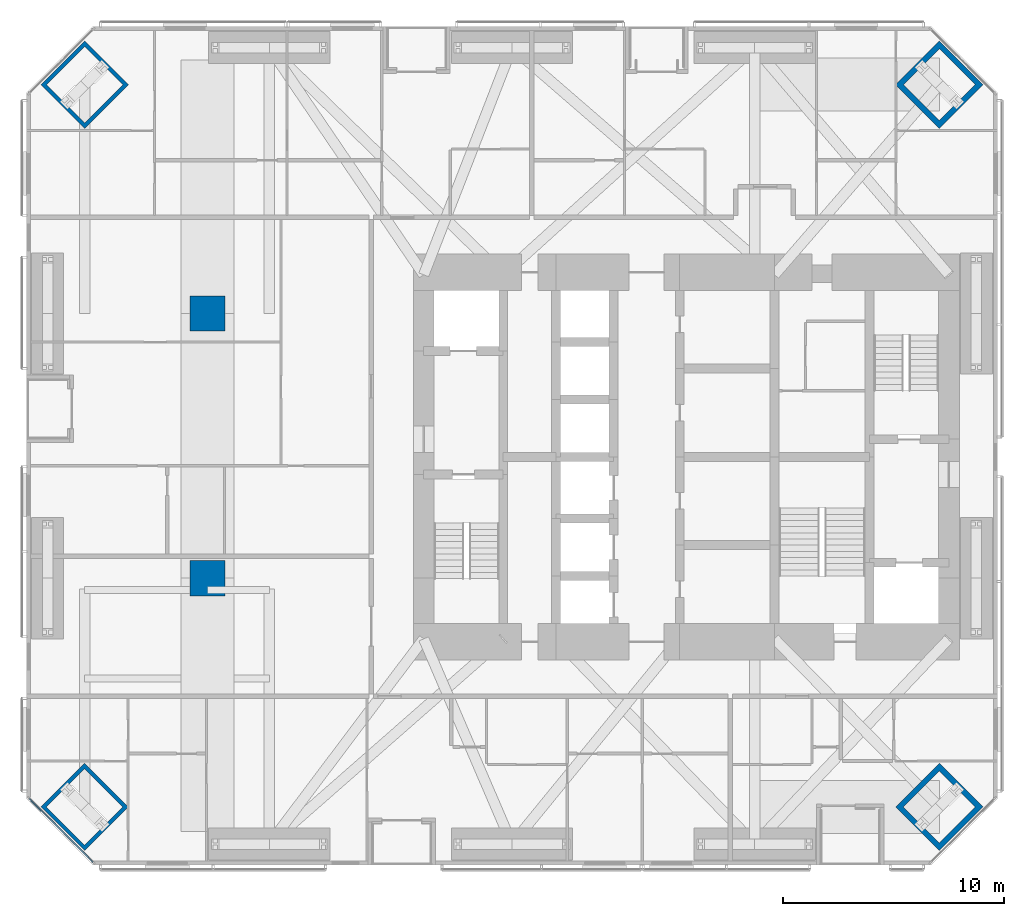
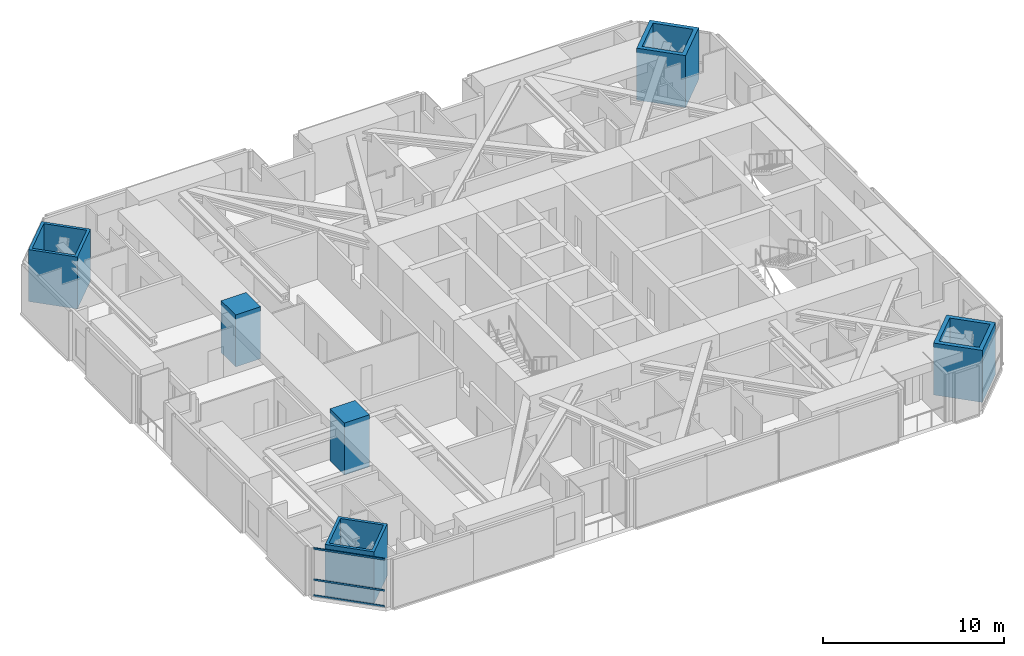
# One storey, part 1 of 22: 6 columns, 3 members, 1 element without a shape of its own.
"""IFC4 building model written with IfcOpenShell, lengths in metres."""

import ifcopenshell
import ifcopenshell.guid

model = None  # the IFC model being written
_history = None  # IfcOwnerHistory: only IFC2X3 demands one
_inside = {}  # id of a spatial element -> (the spatial element, [elements in it])
_under = {}  # id of a project, library or spatial element -> (it, [spatial elements below it])
_declared = {}  # id of a project -> (the project, [libraries it declares])
_typed = {}  # id of a type object -> (the type object, [elements of that type])
_made_of = {}  # id of a material, layer set ... -> (it, [elements and type objects made of it])


def new_model(schema):
    """Start an empty IFC model of exactly this schema.

    Asked for "IFC4X3", IfcOpenShell would pick the latest addendum, in which some entities
    have other attributes; the version numbers below select the first issue.
    IFC2X3 requires an IfcOwnerHistory on every rooted entity: one is made here for all.
    """
    global model, _history
    if schema == "IFC4X3":
        model = ifcopenshell.file(schema_version=(4, 3, 0, 0))
    else:
        model = ifcopenshell.file(schema=schema)
    _inside.clear()
    _under.clear()
    _declared.clear()
    _typed.clear()
    _made_of.clear()
    _history = None
    if model.schema == "IFC2X3":
        org = make("IfcOrganization", Name="unknown")
        user = make(
            "IfcPersonAndOrganization",
            ThePerson=make("IfcPerson", FamilyName="unknown"),
            TheOrganization=org,
        )
        app = make(
            "IfcApplication",
            ApplicationDeveloper=org,
            Version="unknown",
            ApplicationFullName="unknown",
            ApplicationIdentifier="unknown",
        )
        _history = make(
            "IfcOwnerHistory",
            OwningUser=user,
            OwningApplication=app,
            ChangeAction="ADDED",
            CreationDate=0,
        )
    return model


def make(cls, **values):
    """One entity of the class cls with the attributes given. An attribute that is None is left unset."""
    return model.create_entity(
        cls, **{name: value for name, value in values.items() if value is not None}
    )


def rooted(cls, **values):
    """An entity with a GlobalId (a new one), such as an element, a storey or a relation."""
    return make(cls, GlobalId=ifcopenshell.guid.new(), OwnerHistory=_history, **values)


def si_unit(unit_type, name, prefix=None):
    """IfcSIUnit, for example si_unit("LENGTHUNIT", "METRE", prefix="MILLI")."""
    return make("IfcSIUnit", UnitType=unit_type, Prefix=prefix, Name=name)


def assignment(units):
    """IfcUnitAssignment: the units of a project."""
    return None if units is None else make("IfcUnitAssignment", Units=units)


def point(xyz):
    """IfcCartesianPoint."""
    return None if xyz is None else make("IfcCartesianPoint", Coordinates=xyz)


def direction(xyz):
    """IfcDirection."""
    return None if xyz is None else make("IfcDirection", DirectionRatios=xyz)


def frame(location, z_axis=None, x_axis=None):
    """IfcAxis2Placement3D, a coordinate frame: its origin and axes. An axis left out is left unset."""
    return make(
        "IfcAxis2Placement3D",
        Location=point(location),
        Axis=direction(z_axis),
        RefDirection=direction(x_axis),
    )


def frame_2d(location, x_axis=None):
    """IfcAxis2Placement2D, a coordinate frame in the plane: its origin and x axis."""
    return make(
        "IfcAxis2Placement2D", Location=point(location), RefDirection=direction(x_axis)
    )


def origin():
    """The frame at (0, 0, 0) with its axes left unset."""
    return frame((0.0, 0.0, 0.0))


def origin_2d():
    """The frame at (0, 0) in the plane with its x axis left unset."""
    return frame_2d((0.0, 0.0))


def place(relative_to, where):
    """IfcLocalPlacement: puts the frame where relative to a parent placement (None: the world)."""
    return make(
        "IfcLocalPlacement", PlacementRelTo=relative_to, RelativePlacement=where
    )


def context(
    kind, dimensions, precision=None, world=None, true_north=None, identifier=None
):
    """IfcGeometricRepresentationContext, for example the 3D "Model" context."""
    return make(
        "IfcGeometricRepresentationContext",
        ContextIdentifier=identifier,
        ContextType=kind,
        CoordinateSpaceDimension=dimensions,
        Precision=precision,
        WorldCoordinateSystem=world,
        TrueNorth=true_north,
    )


def subcontext(parent, identifier, kind, view, scale=None):
    """IfcGeometricRepresentationSubContext, for example "Body" below "Model"."""
    return make(
        "IfcGeometricRepresentationSubContext",
        ContextIdentifier=identifier,
        ContextType=kind,
        ParentContext=parent,
        TargetScale=scale,
        TargetView=view,
    )


def project(units=None, contexts=None):
    """IfcProject with its units and contexts."""
    return rooted(
        "IfcProject",
        Name="project",
        RepresentationContexts=contexts,
        UnitsInContext=assignment(units),
    )


def spatial(cls, under=None, at=None, **own):
    """A site, building, storey or space (cls), placed at a placement, below another one or the project."""
    s = rooted(cls, ObjectPlacement=at, **own)
    if under is not None:
        _under.setdefault(under.id(), (under, []))[1].append(s)
    return s


def profile(cls, at=None, kind="AREA", **sizes):
    """A parametric profile (cls). Its sizes go by their IFC names, for example OverallWidth=200.0."""
    return make(cls, ProfileType=kind, Position=at, **sizes)


def rectangle(**sizes):
    """IfcRectangleProfileDef."""
    return profile("IfcRectangleProfileDef", **sizes)


def hollow_rectangle(**sizes):
    """IfcRectangleHollowProfileDef."""
    return profile("IfcRectangleHollowProfileDef", **sizes)


def extrude(swept, where, along, depth):
    """IfcExtrudedAreaSolid: the profile swept, set in the frame where, extruded along a direction by depth."""
    return make(
        "IfcExtrudedAreaSolid",
        SweptArea=swept,
        Position=where,
        ExtrudedDirection=direction(along),
        Depth=depth,
    )


def shape(context_of_items, identifier, shape_type, items):
    """IfcShapeRepresentation: the items that make up one representation, for example the "Body"."""
    return make(
        "IfcShapeRepresentation",
        ContextOfItems=context_of_items,
        RepresentationIdentifier=identifier,
        RepresentationType=shape_type,
        Items=items,
    )


def material(Name=None, Category=None):
    """IfcMaterial."""
    return make("IfcMaterial", Name=Name, Category=Category)


def material_profile(
    of_material, cross_section, Name=None, Category=None, Priority=None
):
    """IfcMaterialProfile: a cross section and its material."""
    return make(
        "IfcMaterialProfile",
        Name=Name,
        Material=of_material,
        Profile=cross_section,
        Priority=Priority,
        Category=Category,
    )


def profile_set(profiles, Name=None, composite=None):
    """IfcMaterialProfileSet."""
    return make(
        "IfcMaterialProfileSet",
        Name=Name,
        MaterialProfiles=profiles,
        CompositeProfile=composite,
    )


def made_of(thing, what):
    """Note that an element or type object is made of a material, layer set ...; save() writes the relation."""
    if what is not None:
        _made_of.setdefault(what.id(), (what, []))[1].append(thing)
    return thing


def type_object(cls, material=None, **own):
    """A type object (cls), such as IfcWallType, which elements share."""
    return made_of(rooted(cls, **own), material)


def element(
    cls,
    number,
    at=None,
    inside=None,
    cuts=None,
    type_object=None,
    material=None,
    context=None,
    identifier="Body",
    shape_type=None,
    held_by="IfcProductDefinitionShape",
    body=None,
    shapes=None,
    **own,
):
    """One element of the class cls, such as IfcWall. Its Tag is "e" and its number.

    at: its placement. inside: the storey or other place that contains it. cuts: it is an
    opening in that element (IfcRelVoidsElement). A single representation is given by context,
    identifier, shape_type and body (its items); several are given by shapes. held_by: the class
    of the entity that holds the representations. save() writes the other relations.
    """
    e = rooted(cls, Tag="e%d" % number, ObjectPlacement=at, **own)
    if body is not None:
        shapes = [shape(context, identifier, shape_type, body)]
    if shapes is not None:
        e.Representation = make(held_by, Representations=shapes)
    if inside is not None:
        _inside.setdefault(inside.id(), (inside, []))[1].append(e)
    if cuts is not None:
        rooted(
            "IfcRelVoidsElement", RelatingBuildingElement=cuts, RelatedOpeningElement=e
        )
    if type_object is not None:
        _typed.setdefault(type_object.id(), (type_object, []))[1].append(e)
    return made_of(e, material)


def aggregate(whole, parts):
    """IfcRelAggregates: a whole, such as a stair, and the parts it consists of."""
    return rooted("IfcRelAggregates", RelatingObject=whole, RelatedObjects=parts)


def save(model, path):
    """Write the relations noted so far, then the file.

    IfcRelAggregates (storeys below a building ...), IfcRelContainedInSpatialStructure (elements
    in a storey), IfcRelDefinesByType, IfcRelAssociatesMaterial and IfcRelDeclares: one each for
    every whole, place, type object, material and project.
    """
    for whole, parts in _under.values():
        aggregate(whole, parts)
    for where, things in _inside.values():
        rooted(
            "IfcRelContainedInSpatialStructure",
            RelatedElements=things,
            RelatingStructure=where,
        )
    for kind, things in _typed.values():
        rooted("IfcRelDefinesByType", RelatedObjects=things, RelatingType=kind)
    for what, things in _made_of.values():
        rooted("IfcRelAssociatesMaterial", RelatedObjects=things, RelatingMaterial=what)
    for by, libraries in _declared.values():
        rooted("IfcRelDeclares", RelatingContext=by, RelatedDefinitions=libraries)
    model.write(path)


model = new_model("IFC4")

# Units and contexts
model_context = context("Model", 3, precision=1e-05, world=origin(), true_north=direction((0.0, 1.0)))
body_context = subcontext(model_context, "Body", "Model", "MODEL_VIEW")
ifc_project = project(units=[si_unit("LENGTHUNIT", "METRE"), si_unit("AREAUNIT", "SQUARE_METRE"), si_unit("VOLUMEUNIT", "CUBIC_METRE"), si_unit("PLANEANGLEUNIT", "RADIAN"), si_unit("MASSUNIT", "GRAM", prefix="KILO")], contexts=[model_context])

# Site, building, storey
site_placement = place(None, origin())
site = spatial("IfcSite", under=ifc_project, at=site_placement, CompositionType="ELEMENT")
building_placement = place(site_placement, origin())
building = spatial("IfcBuilding", under=site, at=building_placement, Name="Jalousie Tower", CompositionType="ELEMENT")
storey_placement = place(building_placement, frame((0.0, 0.0, 71.25)))
storey = spatial("IfcBuildingStorey", under=building, at=storey_placement, Name="L19", CompositionType="ELEMENT", Elevation=71.25)

# Columns
ifc_material_1 = material(Name="Steel EN 10025-2 S355J2 plate", Category="steel")
ifc_material_profile_1 = material_profile(ifc_material_1, hollow_rectangle(XDim=2.800048828125, YDim=2.800048828125, WallThickness=0.175048828125, at=origin_2d()), Name="BOX 2800x2800x175")
ifc_profile_set_1 = profile_set([ifc_material_profile_1], Name="Steel EN 10025-2 S355J2 plate")
column_type_1 = type_object("IfcColumnType", Name="BUILT-UP BOX CORNER COLUMN BOX 2800x2800x175", PredefinedType="COLUMN", material=ifc_profile_set_1)
for number, where, z_axis, x_axis, name in (
    (1, (4.63134765625, 2.63134765625, 0.0), (0.0, 0.0, 1.0), (0.707106781187, 0.707106781187, 0.0), "Corner column 01 L19"),
    (2, (4.63134765625, 35.36865234375, 0.0), (0.0, 0.0, 1.0), (0.707106781187, -0.707106781187, 0.0), "Corner column 12 L19"),
):
    element("IfcColumn", number, at=place(storey_placement, frame(where, z_axis=z_axis, x_axis=x_axis)), inside=storey, type_object=column_type_1, Name=name, PredefinedType="COLUMN", context=body_context, shape_type="SweptSolid", body=[
        extrude(hollow_rectangle(XDim=2.800048828125, YDim=2.800048828125, WallThickness=0.175048828125, at=origin_2d()), origin(), (0.0, 0.0, 1.0), 3.5),
    ])
ifc_material_2 = material(Name="Steel EN 10025-2 S355J2 plate", Category="steel")
ifc_material_profile_2 = material_profile(ifc_material_2, hollow_rectangle(XDim=2.800048828125, YDim=2.800048828125, WallThickness=0.25, at=origin_2d()), Name="BOX 2800x2800x250")
ifc_profile_set_2 = profile_set([ifc_material_profile_2], Name="Steel EN 10025-2 S355J2 plate")
column_type_2 = type_object("IfcColumnType", Name="BUILT-UP BOX CORNER COLUMN BOX 2800x2800x250", PredefinedType="COLUMN", material=ifc_profile_set_2)
for number, where, z_axis, x_axis, name in (
    (3, (43.36865234375, 2.63134765625, 0.0), (0.0, 0.0, 1.0), (-0.707106781187, 0.707106781187, 0.0), "Corner column 05 L19"),
    (4, (43.36865234375, 35.36865234375, 0.0), (0.0, 0.0, 1.0), (-0.707106781187, -0.707106781187, 0.0), "Corner column 08 L19"),
):
    element("IfcColumn", number, at=place(storey_placement, frame(where, z_axis=z_axis, x_axis=x_axis)), inside=storey, type_object=column_type_2, Name=name, PredefinedType="COLUMN", context=body_context, shape_type="SweptSolid", body=[
        extrude(hollow_rectangle(XDim=2.800048828125, YDim=2.800048828125, WallThickness=0.25, at=origin_2d()), origin(), (0.0, 0.0, 1.0), 3.5),
    ])
ifc_material_3 = material(Name="Concrete f'c 120 MPa", Category="concrete")
ifc_material_profile_3 = material_profile(ifc_material_3, rectangle(XDim=1.60009765625, YDim=1.60009765625, at=origin_2d()), Name="RC 1600x1600")
ifc_profile_set_3 = profile_set([ifc_material_profile_3], Name="Concrete f'c 120 MPa")
column_type_3 = type_object("IfcColumnType", Name="RC COLUMN 1600x1600", PredefinedType="COLUMN", material=ifc_profile_set_3)
for number, where, z_axis, x_axis, name in (
    (5, (10.199951171875, 13.0, 0.0), (0.0, 0.0, 1.0), (1.0, 0.0, 0.0), "Interior column IA1 L19"),
    (6, (10.199951171875, 25.0, 0.0), (0.0, 0.0, 1.0), (1.0, 0.0, 0.0), "Interior column IA2 L19"),
):
    element("IfcColumn", number, at=place(storey_placement, frame(where, z_axis=z_axis, x_axis=x_axis)), inside=storey, type_object=column_type_3, Name=name, PredefinedType="COLUMN", context=body_context, shape_type="SweptSolid", body=[
        extrude(rectangle(XDim=1.60009765625, YDim=1.60009765625, at=origin_2d()), origin(), (0.0, 0.0, 1.0), 3.5),
    ])

# Curtain wall, members
ifc_material_4 = material(Name="Aluminium curtain wall", Category="aluminium")
curtain_wall_type = type_object("IfcCurtainWallType", Name="CORNER WINDOW WALL", PredefinedType="USERDEFINED", material=ifc_material_4)
curtain_wall_placement = place(storey_placement, origin())
curtain_wall = element("IfcCurtainWall", 7, at=curtain_wall_placement, inside=storey, type_object=curtain_wall_type, Name="Corner Window Wall L19 8", ObjectType="CORNER WINDOW WALL", PredefinedType="USERDEFINED")
ifc_material_5 = material(Name="Aluminium transom", Category="aluminium")
ifc_material_profile_4 = material_profile(ifc_material_5, rectangle(XDim=0.06005859375, YDim=0.1201171875, at=origin_2d()), Name="TRANSOM 60x120")
ifc_profile_set_4 = profile_set([ifc_material_profile_4], Name="Aluminium transom")
member_type = type_object("IfcMemberType", Name="CORNER WINDOW WALL TRANSOM", PredefinedType="USERDEFINED", material=ifc_profile_set_4)
member_1_placement = place(storey_placement, frame((2.1298828125, 3.0087890625, 0.030029296875), z_axis=(0.707106781187, -0.707106781187, 0.0), x_axis=(0.707106781187, 0.707106781187, 0.0)))
member_1 = element("IfcMember", 8, at=member_1_placement, type_object=member_type, Name="CW-C transom 1.1", ObjectType="TRANSOM", PredefinedType="USERDEFINED", context=body_context, shape_type="SweptSolid", body=[
    extrude(rectangle(XDim=0.06005859375, YDim=0.1201171875, at=origin_2d()), origin(), (0.0, 0.0, 1.0), 4.0712890625),
])
member_2_placement = place(storey_placement, frame((2.1298828125, 3.0087890625, 1.10009765625), z_axis=(0.707106781187, -0.707106781187, 0.0), x_axis=(0.707106781187, 0.707106781187, 0.0)))
member_2 = element("IfcMember", 9, at=member_2_placement, type_object=member_type, Name="CW-C transom 1.2", ObjectType="TRANSOM", PredefinedType="USERDEFINED", context=body_context, shape_type="SweptSolid", body=[
    extrude(rectangle(XDim=0.06005859375, YDim=0.1201171875, at=origin_2d()), origin(), (0.0, 0.0, 1.0), 4.0712890625),
])
member_3_placement = place(storey_placement, frame((2.1298828125, 3.0087890625, 3.18994140625), z_axis=(0.707106781187, -0.707106781187, 0.0), x_axis=(0.707106781187, 0.707106781187, 0.0)))
member_3 = element("IfcMember", 10, at=member_3_placement, type_object=member_type, Name="CW-C transom 1.3", ObjectType="TRANSOM", PredefinedType="USERDEFINED", context=body_context, shape_type="SweptSolid", body=[
    extrude(rectangle(XDim=0.06005859375, YDim=0.1201171875, at=origin_2d()), origin(), (0.0, 0.0, 1.0), 4.0712890625),
])
aggregate(curtain_wall, [member_1, member_2, member_3])

save(model, "model.ifc")
